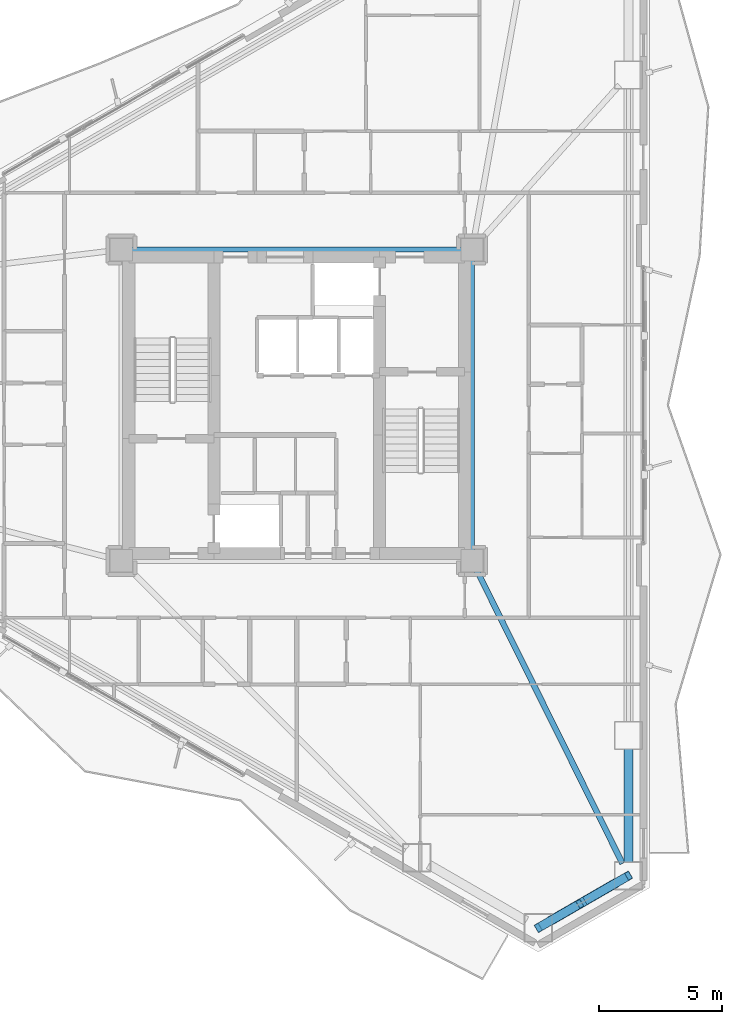
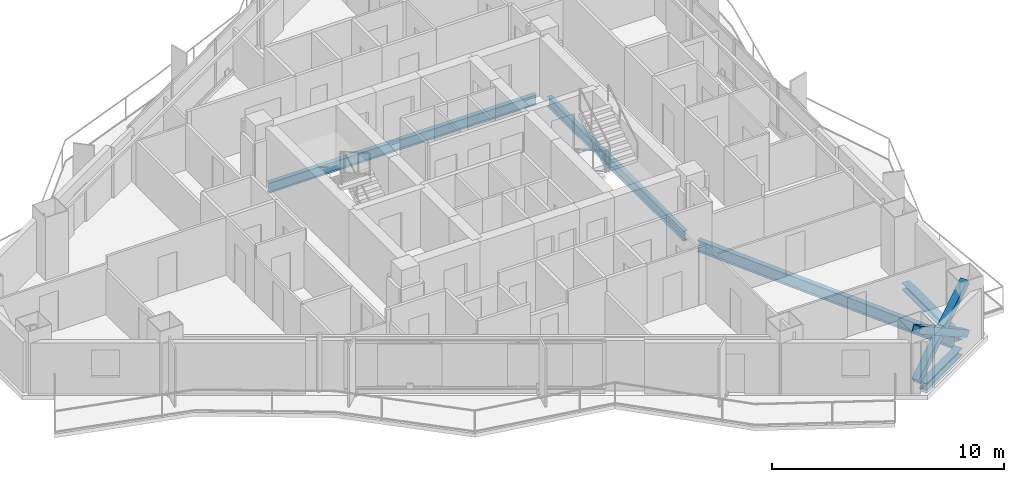
# One storey, part 7 of 23: 5 beams, 3 members.
"""IFC4 building model written with IfcOpenShell, lengths in metres."""

from ifc_helpers import new_model, si_unit, direction, frame, origin, origin_2d, place, context, subcontext, project, spatial, hollow_rectangle, i_section, extrude, material, material_profile, profile_set, type_object, element, save


model = new_model("IFC4")

# Units and contexts
model_context = context("Model", 3, precision=1e-05, world=origin(), true_north=direction((0.0, 1.0)))
body_context = subcontext(model_context, "Body", "Model", "MODEL_VIEW")
ifc_project = project(units=[si_unit("LENGTHUNIT", "METRE"), si_unit("AREAUNIT", "SQUARE_METRE"), si_unit("VOLUMEUNIT", "CUBIC_METRE"), si_unit("PLANEANGLEUNIT", "RADIAN"), si_unit("MASSUNIT", "GRAM", prefix="KILO")], contexts=[model_context])

# Site, building, storey
site_placement = place(None, origin())
site = spatial("IfcSite", under=ifc_project, at=site_placement, CompositionType="ELEMENT")
building_placement = place(site_placement, origin())
building = spatial("IfcBuilding", under=site, at=building_placement, Name="Mersakhor Tower and Convention Hall", CompositionType="ELEMENT")
storey_placement = place(building_placement, frame((0.0, 0.0, 73.5)))
storey = spatial("IfcBuildingStorey", under=building, at=storey_placement, Name="L19", CompositionType="ELEMENT", Elevation=73.5)

# Beams
ifc_material_1 = material(Name="Steel S355", Category="steel")
ifc_material_profile_1 = material_profile(ifc_material_1, i_section(OverallWidth=0.2099609375, OverallDepth=0.53662109375, WebThickness=0.0107421875, FlangeThickness=0.017333984375, at=origin_2d()), Name="UB 533x210x101")
ifc_profile_set_1 = profile_set([ifc_material_profile_1], Name="Steel S355")
beam_type_1 = type_object("IfcBeamType", Name="BM-FB-533", PredefinedType="BEAM", material=ifc_profile_set_1)
beam_1_placement = place(storey_placement, frame((22.330078125, 33.050048828125, -0.518310546875), z_axis=(1.0, 0.0, 0.0), x_axis=(0.0, 1.0, 0.0)))
element("IfcBeam", 1, at=beam_1_placement, inside=storey, type_object=beam_type_1, Name="L19 Core Ring Tie Beam CRB-2", PredefinedType="BEAM", context=body_context, shape_type="SweptSolid", body=[
    extrude(i_section(OverallWidth=0.2099609375, OverallDepth=0.53662109375, WebThickness=0.0107421875, FlangeThickness=0.017333984375, at=origin_2d()), origin(), (0.0, 0.0, 1.0), 13.33984375),
])
beam_2_placement = place(storey_placement, frame((36.10009765625, 32.6201171875, -0.518310546875), z_axis=(0.0, -1.0, 0.0), x_axis=(1.0, 0.0, 0.0)))
element("IfcBeam", 2, at=beam_2_placement, inside=storey, type_object=beam_type_1, Name="L19 Core Ring Tie Beam CRB-3", PredefinedType="BEAM", context=body_context, shape_type="SweptSolid", body=[
    extrude(i_section(OverallWidth=0.2099609375, OverallDepth=0.53662109375, WebThickness=0.0107421875, FlangeThickness=0.017333984375, at=origin_2d()), origin(), (0.0, 0.0, 1.0), 11.740234375),
])
ifc_material_2 = material(Name="Steel S355", Category="steel")
ifc_material_profile_2 = material_profile(ifc_material_2, i_section(OverallWidth=0.22900390625, OverallDepth=0.6123046875, WebThickness=0.011962890625, FlangeThickness=0.01953125, at=origin_2d()), Name="UB 610x229x125")
ifc_profile_set_2 = profile_set([ifc_material_profile_2], Name="Steel S355")
beam_type_2 = type_object("IfcBeamType", Name="BM-PR-610", PredefinedType="BEAM", material=ifc_profile_set_2)
beam_3_placement = place(storey_placement, frame((36.291259765625, 20.06494140625, -0.55615234375), z_axis=(0.444993792004, -0.895533653794, 0.0), x_axis=(0.895533653794, 0.444993792004, 0.0)))
element("IfcBeam", 3, at=beam_3_placement, inside=storey, type_object=beam_type_2, Name="L19 Primary Floor Girder FG-4", PredefinedType="BEAM", context=body_context, shape_type="SweptSolid", body=[
    extrude(i_section(OverallWidth=0.22900390625, OverallDepth=0.6123046875, WebThickness=0.011962890625, FlangeThickness=0.01953125, at=origin_2d()), origin(), (0.0, 0.0, 1.0), 13.250244140625),
])
ifc_material_3 = material(Name="Steel S355", Category="steel")
ifc_material_profile_3 = material_profile(ifc_material_3, i_section(OverallWidth=0.374755859375, OverallDepth=0.37451171875, WebThickness=0.0166015625, FlangeThickness=0.027099609375, at=origin_2d()), Name="UC 356x368x202")
ifc_profile_set_3 = profile_set([ifc_material_profile_3], Name="Steel S355")
beam_type_3 = type_object("IfcBeamType", Name="BM-SPD-UC356", PredefinedType="SPANDREL", material=ifc_profile_set_3)
beam_4_placement = place(storey_placement, frame((42.4345703125, 12.8232421875, -0.437255859375), z_axis=(0.0, -1.0, 0.0), x_axis=(1.0, 0.0, 0.0)))
element("IfcBeam", 4, at=beam_4_placement, inside=storey, type_object=beam_type_3, Name="L19 Perimeter Spandrel Beam SPB-07", PredefinedType="SPANDREL", context=body_context, shape_type="SweptSolid", body=[
    extrude(i_section(OverallWidth=0.374755859375, OverallDepth=0.37451171875, WebThickness=0.0166015625, FlangeThickness=0.027099609375, at=origin_2d()), origin(), (0.0, 0.0, 1.0), 4.566162109375),
])
beam_5_placement = place(storey_placement, frame((41.9541015625, 7.424560546875, -0.437255859375), z_axis=(-0.866052319632, -0.499953377486, 0.0), x_axis=(0.499953377486, -0.866052319632, 0.0)))
element("IfcBeam", 5, at=beam_5_placement, inside=storey, type_object=beam_type_3, Name="L19 Perimeter Spandrel Beam SPB-08", PredefinedType="SPANDREL", context=body_context, shape_type="SweptSolid", body=[
    extrude(i_section(OverallWidth=0.374755859375, OverallDepth=0.37451171875, WebThickness=0.0166015625, FlangeThickness=0.027099609375, at=origin_2d()), origin(), (0.0, 0.0, 1.0), 3.111572265625),
])

# Members
ifc_material_4 = material(Name="Steel S460", Category="steel")
ifc_material_profile_4 = material_profile(ifc_material_4, hollow_rectangle(XDim=0.35009765625, YDim=0.35009765625, WallThickness=0.02001953125, at=origin_2d()), Name="SHS 350x350x20")
ifc_profile_set_4 = profile_set([ifc_material_profile_4], Name="Steel S460")
member_type = type_object("IfcMemberType", Name="MB-BRC-SHS350", PredefinedType="BRACE", material=ifc_profile_set_4)
member_placement = place(storey_placement, frame((42.4345703125, 7.701904296875, 0.14990234375), z_axis=(-0.725633725484, -0.418933054415, 0.545848689986), x_axis=(0.49998946241, -0.866031487579, 0.0)))
element("IfcMember", 6, at=member_placement, inside=storey, type_object=member_type, Name="L19 Chamfer Braced Frame Diagonal CB-2A", PredefinedType="BRACE", context=body_context, shape_type="SweptSolid", body=[
    extrude(hollow_rectangle(XDim=0.35009765625, YDim=0.35009765625, WallThickness=0.02001953125, at=origin_2d()), origin(), (0.0, 0.0, 1.0), 5.0380859375),
])
for number, where, z_axis, x_axis, name in (
    (7, (38.77880859375, 5.59130859375, 0.14990234375), (0.725593346201, 0.41889491121, 0.545931634283), (-0.499976186015, 0.866039152359, 0.0), "L19 Chamfer Braced Frame Diagonal CB-2B Lower Half"),
    (8, (40.751220703125, 6.730224609375, 1.6337890625), (0.725684866011, 0.418886985747, 0.545816057307), (-0.499921796684, 0.866070549782, 0.0), "L19 Chamfer Braced Frame Diagonal CB-2B Upper Half"),
):
    element("IfcMember", number, at=place(storey_placement, frame(where, z_axis=z_axis, x_axis=x_axis)), inside=storey, type_object=member_type, Name=name, PredefinedType="BRACE", context=body_context, shape_type="SweptSolid", body=[
        extrude(hollow_rectangle(XDim=0.35009765625, YDim=0.35009765625, WallThickness=0.02001953125, at=origin_2d()), origin(), (0.0, 0.0, 1.0), 2.319580078125),
    ])

save(model, "model.ifc")
